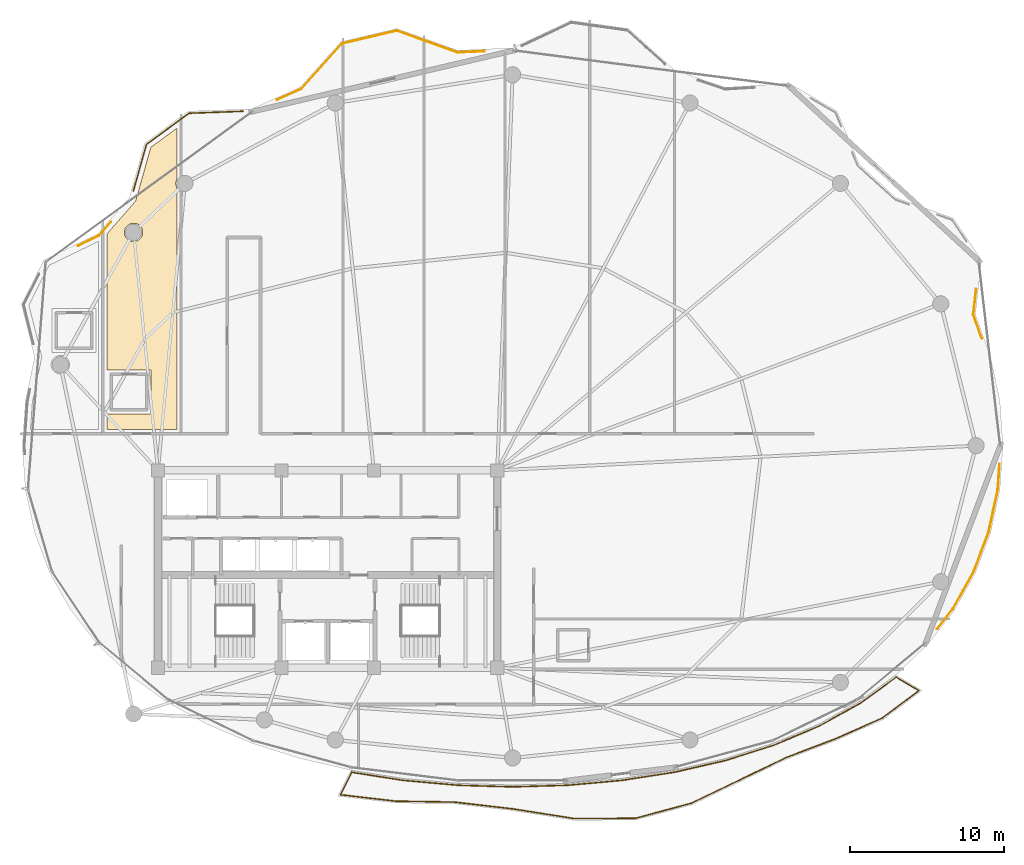
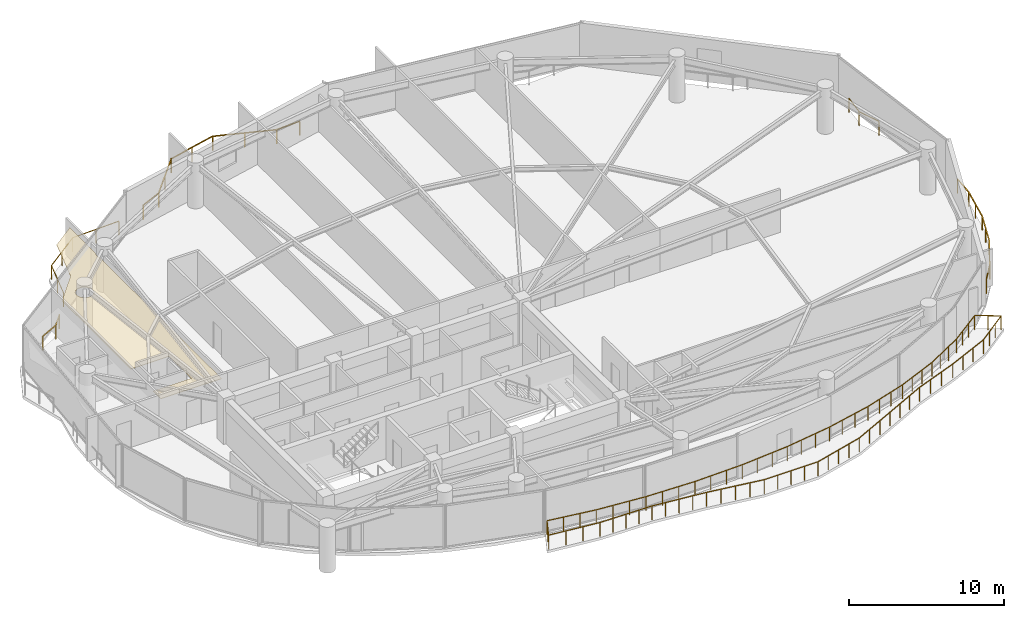
# One storey, part 30 of 31: 6 railings, 1 covering.
"""IFC4 building model written with IfcOpenShell, lengths in metres."""

from ifc_helpers import new_model, si_unit, direction, frame, origin, origin_2d, place, context, subcontext, project, spatial, polyline, rectangle, outline, extrude, material, layer, layer_set, type_object, element, save


model = new_model("IFC4")

# Units and contexts
model_context = context("Model", 3, precision=1e-05, world=origin(), true_north=direction((0.0, 1.0)))
body_context = subcontext(model_context, "Body", "Model", "MODEL_VIEW")
ifc_project = project(units=[si_unit("LENGTHUNIT", "METRE"), si_unit("AREAUNIT", "SQUARE_METRE"), si_unit("VOLUMEUNIT", "CUBIC_METRE"), si_unit("PLANEANGLEUNIT", "RADIAN"), si_unit("MASSUNIT", "GRAM", prefix="KILO")], contexts=[model_context])

# Site, building, storey
site_placement = place(None, origin())
site = spatial("IfcSite", under=ifc_project, at=site_placement, CompositionType="ELEMENT")
building_placement = place(site_placement, origin())
building = spatial("IfcBuilding", under=site, at=building_placement, Name="Kazevale Care Tower and Concert Hall", CompositionType="ELEMENT")
storey_placement = place(building_placement, frame((0.0, 0.0, 217.199951171875)))
storey = spatial("IfcBuildingStorey", under=building, at=storey_placement, Name="L57", CompositionType="ELEMENT", Elevation=217.199951171875)

# Covering
ifc_material_1 = material(Name="Acoustic Plaster and Hinoki Wood", Category="wood")
ifc_layer = layer(ifc_material_1, 0.0400390625)
ifc_layer_set = layer_set([ifc_layer], Name="Acoustic Plaster and Hinoki Wood")
covering_type = type_object("IfcCoveringType", Name="Acoustic Perforated Wood-Gypsum Ceiling", PredefinedType="CEILING", material=ifc_layer_set)
covering_placement = place(storey_placement, frame((0.0, 0.0, 2.7099609375)))
element("IfcCovering", 1, at=covering_placement, inside=storey, type_object=covering_type, Name="clg:L57:2", PredefinedType="CEILING", context=body_context, shape_type="SweptSolid", body=[
    extrude(outline(polyline([(21.550048828125, 42.905029296875), (18.699951171875, 42.905029296875), (18.699951171875, 51.742919921875), (20.552001953125, 53.861083984375), (21.534912109375, 57.344970703125), (23.219970703125, 58.5830078125), (23.219970703125, 55.2958984375), (23.14501953125, 55.010009765625), (23.219970703125, 54.72412109375), (23.219970703125, 39.054931640625), (18.699951171875, 39.054931640625), (18.699951171875, 40.044921875), (21.550048828125, 40.044921875), (21.550048828125, 42.905029296875)]), holes=[polyline([(21.012939453125, 51.947998046875), (20.923095703125, 52.166015625), (20.756103515625, 52.3330078125), (20.5380859375, 52.423095703125), (20.302001953125, 52.423095703125), (20.083984375, 52.3330078125), (19.9169921875, 52.166015625), (19.826904296875, 51.947998046875), (19.826904296875, 51.7119140625), (19.9169921875, 51.493896484375), (20.083984375, 51.326904296875), (20.302001953125, 51.237060546875), (20.5380859375, 51.237060546875), (20.756103515625, 51.326904296875), (20.923095703125, 51.493896484375), (21.012939453125, 51.7119140625), (21.012939453125, 51.947998046875)])]), origin(), (0.0, 0.0, 1.0), 0.0400390625),
])

# Railings
ifc_material_2 = material(Name="Anodised Bronze Aluminium and Laminated Glass", Category="aluminium")
railing_type = type_object("IfcRailingType", Name="Balcony and Terrace Balustrade 1120", PredefinedType="BALUSTRADE", material=ifc_material_2)
railing_1_placement = place(storey_placement, frame((16.83203125, 50.968994140625, 0.0)))
element("IfcRailing", 2, at=railing_1_placement, inside=storey, type_object=railing_type, Name="rail:L57:perim:3", PredefinedType="BALUSTRADE", context=body_context, shape_type="SweptSolid", body=[
    extrude(rectangle(XDim=0.048095703125, YDim=0.048095703125, at=origin_2d()), frame((0.0, 0.0, 1.09619140625), z_axis=(0.899880965399, 0.436135584553, 0.0), x_axis=(-0.436135584553, 0.899880965399, 0.0)), (0.0, 0.0, 1.0), 1.476806640625),
    extrude(rectangle(XDim=0.048095703125, YDim=0.048095703125, at=origin_2d()), frame((1.328857421875, 0.64404296875, 1.09619140625), z_axis=(0.658533673371, 0.752551261402, 0.0), x_axis=(-0.752551261402, 0.658533673371, 0.0)), (0.0, 0.0, 1.0), 1.189208984375),
    extrude(rectangle(XDim=0.0419921875, YDim=0.0419921875, at=origin_2d()), origin(), (0.0, 0.0, 1.0), 1.072021484375),
    extrude(rectangle(XDim=0.0419921875, YDim=0.0419921875, at=origin_2d()), frame((1.328857421875, 0.64404296875, 0.0)), (0.0, 0.0, 1.0), 1.072021484375),
    extrude(rectangle(XDim=0.0419921875, YDim=0.0419921875, at=origin_2d()), frame((2.112060546875, 1.5390625, 0.0)), (0.0, 0.0, 1.0), 1.072021484375),
])
railing_2_placement = place(storey_placement, frame((20.403076171875, 54.511962890625, 0.0)))
element("IfcRailing", 3, at=railing_2_placement, inside=storey, type_object=railing_type, Name="rail:L57:perim:4", PredefinedType="BALUSTRADE", context=body_context, shape_type="SweptSolid", body=[
    extrude(rectangle(XDim=0.048095703125, YDim=0.048095703125, at=origin_2d()), frame((0.0, 0.0, 1.09619140625), z_axis=(0.27160216444, 0.962409613559, 0.0), x_axis=(-0.962409613559, 0.27160216444, 0.0)), (0.0, 0.0, 1.0), 3.144287109375),
    extrude(rectangle(XDim=0.048095703125, YDim=0.048095703125, at=origin_2d()), frame((0.85400390625, 3.026123046875, 1.09619140625), z_axis=(0.805881115656, 0.592077382973, 0.0), x_axis=(-0.592077382973, 0.805881115656, 0.0)), (0.0, 0.0, 1.0), 3.40966796875),
    extrude(rectangle(XDim=0.048095703125, YDim=0.048095703125, at=origin_2d()), frame((3.601806640625, 5.044921875, 1.09619140625), z_axis=(0.999339175446, 0.036348485787, 0.0), x_axis=(-0.036348485787, 0.999339175446, 0.0)), (0.0, 0.0, 1.0), 3.499267578125),
    extrude(rectangle(XDim=0.0419921875, YDim=0.0419921875, at=origin_2d()), origin(), (0.0, 0.0, 1.0), 1.072021484375),
    extrude(rectangle(XDim=0.0419921875, YDim=0.0419921875, at=origin_2d()), frame((0.427001953125, 1.51318359375, 0.0)), (0.0, 0.0, 1.0), 1.072021484375),
    extrude(rectangle(XDim=0.0419921875, YDim=0.0419921875, at=origin_2d()), frame((0.85400390625, 3.026123046875, 0.0)), (0.0, 0.0, 1.0), 1.072021484375),
    extrude(rectangle(XDim=0.0419921875, YDim=0.0419921875, at=origin_2d()), frame((2.22802734375, 4.03564453125, 0.0)), (0.0, 0.0, 1.0), 1.072021484375),
    extrude(rectangle(XDim=0.0419921875, YDim=0.0419921875, at=origin_2d()), frame((3.601806640625, 5.044921875, 0.0)), (0.0, 0.0, 1.0), 1.072021484375),
    extrude(rectangle(XDim=0.0419921875, YDim=0.0419921875, at=origin_2d()), frame((5.350341796875, 5.1083984375, 0.0)), (0.0, 0.0, 1.0), 1.072021484375),
    extrude(rectangle(XDim=0.0419921875, YDim=0.0419921875, at=origin_2d()), frame((7.098876953125, 5.172119140625, 0.0)), (0.0, 0.0, 1.0), 1.072021484375),
])
railing_3_placement = place(storey_placement, frame((29.737060546875, 60.43505859375, 0.0)))
element("IfcRailing", 4, at=railing_3_placement, inside=storey, type_object=railing_type, Name="rail:L57:perim:5", PredefinedType="BALUSTRADE", context=body_context, shape_type="SweptSolid", body=[
    extrude(rectangle(XDim=0.048095703125, YDim=0.048095703125, at=origin_2d()), frame((0.0, 0.0, 1.09619140625), z_axis=(0.912729386392, 0.408564642641, 0.0), x_axis=(-0.408564642641, 0.912729386392, 0.0)), (0.0, 0.0, 1.0), 1.6982421875),
    extrude(rectangle(XDim=0.048095703125, YDim=0.048095703125, at=origin_2d()), frame((1.550048828125, 0.69384765625, 1.09619140625), z_axis=(0.668500240789, 0.743711925456, 0.0), x_axis=(-0.743711925456, 0.668500240789, 0.0)), (0.0, 0.0, 1.0), 3.950439453125),
    extrude(rectangle(XDim=0.048095703125, YDim=0.048095703125, at=origin_2d()), frame((4.19091796875, 3.6318359375, 1.09619140625), z_axis=(0.97312090779, 0.2302948085, 0.0), x_axis=(-0.2302948085, 0.97312090779, 0.0)), (0.0, 0.0, 1.0), 3.652099609375),
    extrude(rectangle(XDim=0.048095703125, YDim=0.048095703125, at=origin_2d()), frame((7.744873046875, 4.472900390625, 1.09619140625), z_axis=(0.941350252636, -0.337431032749, 0.0), x_axis=(0.337431032749, 0.941350252636, 0.0)), (0.0, 0.0, 1.0), 4.18115234375),
    extrude(rectangle(XDim=0.048095703125, YDim=0.048095703125, at=origin_2d()), frame((11.680908203125, 3.06201171875, 1.09619140625), z_axis=(0.998977358959, 0.045213231333, 0.0), x_axis=(-0.045213231333, 0.998977358959, 0.0)), (0.0, 0.0, 1.0), 1.765625),
    extrude(rectangle(XDim=0.0419921875, YDim=0.0419921875, at=origin_2d()), origin(), (0.0, 0.0, 1.0), 1.072021484375),
    extrude(rectangle(XDim=0.0419921875, YDim=0.0419921875, at=origin_2d()), frame((1.550048828125, 0.69384765625, 0.0)), (0.0, 0.0, 1.0), 1.072021484375),
    extrude(rectangle(XDim=0.0419921875, YDim=0.0419921875, at=origin_2d()), frame((2.87060546875, 2.162841796875, 0.0)), (0.0, 0.0, 1.0), 1.072021484375),
    extrude(rectangle(XDim=0.0419921875, YDim=0.0419921875, at=origin_2d()), frame((4.19091796875, 3.6318359375, 0.0)), (0.0, 0.0, 1.0), 1.072021484375),
    extrude(rectangle(XDim=0.0419921875, YDim=0.0419921875, at=origin_2d()), frame((5.9677734375, 4.05224609375, 0.0)), (0.0, 0.0, 1.0), 1.072021484375),
    extrude(rectangle(XDim=0.0419921875, YDim=0.0419921875, at=origin_2d()), frame((7.744873046875, 4.472900390625, 0.0)), (0.0, 0.0, 1.0), 1.072021484375),
    extrude(rectangle(XDim=0.0419921875, YDim=0.0419921875, at=origin_2d()), frame((9.712890625, 3.767578125, 0.0)), (0.0, 0.0, 1.0), 1.072021484375),
    extrude(rectangle(XDim=0.0419921875, YDim=0.0419921875, at=origin_2d()), frame((11.680908203125, 3.06201171875, 0.0)), (0.0, 0.0, 1.0), 1.072021484375),
    extrude(rectangle(XDim=0.0419921875, YDim=0.0419921875, at=origin_2d()), frame((13.44482421875, 3.141845703125, 0.0)), (0.0, 0.0, 1.0), 1.072021484375),
])
railing_4_placement = place(storey_placement, frame((76.576904296875, 36.81103515625, 0.0)))
element("IfcRailing", 5, at=railing_4_placement, inside=storey, type_object=railing_type, Name="rail:L57:perim:11", PredefinedType="BALUSTRADE", context=body_context, shape_type="SweptSolid", body=[
    extrude(rectangle(XDim=0.048095703125, YDim=0.048095703125, at=origin_2d()), frame((0.0, 0.0, 1.09619140625), z_axis=(-0.069683140934, -0.997569175481, 0.0), x_axis=(0.997569175481, -0.069683140934, 0.0)), (0.0, 0.0, 1.0), 1.664306640625),
    extrude(rectangle(XDim=0.048095703125, YDim=0.048095703125, at=origin_2d()), frame((-0.115966796875, -1.66015625, 1.09619140625), z_axis=(-0.210886672564, -0.97751051725, 0.0), x_axis=(0.97751051725, -0.210886672564, 0.0)), (0.0, 0.0, 1.0), 2.81201171875),
    extrude(rectangle(XDim=0.048095703125, YDim=0.048095703125, at=origin_2d()), frame((-0.708984375, -4.408935546875, 1.09619140625), z_axis=(-0.352914941795, -0.935655408715, 0.0), x_axis=(0.935655408715, -0.352914941795, 0.0)), (0.0, 0.0, 1.0), 2.77685546875),
    extrude(rectangle(XDim=0.048095703125, YDim=0.048095703125, at=origin_2d()), frame((-1.68896484375, -7.007080078125, 1.09619140625), z_axis=(-0.490131162051, -0.871648692987, 0.0), x_axis=(0.871648692987, -0.490131162051, 0.0)), (0.0, 0.0, 1.0), 2.762451171875),
    extrude(rectangle(XDim=0.048095703125, YDim=0.048095703125, at=origin_2d()), frame((-3.04296875, -9.4150390625, 1.09619140625), z_axis=(-0.615507243123, -0.788131228707, 0.0), x_axis=(0.788131228707, -0.615507243123, 0.0)), (0.0, 0.0, 1.0), 1.6279296875),
    extrude(rectangle(XDim=0.0419921875, YDim=0.0419921875, at=origin_2d()), origin(), (0.0, 0.0, 1.0), 1.072021484375),
    extrude(rectangle(XDim=0.0419921875, YDim=0.0419921875, at=origin_2d()), frame((-0.115966796875, -1.66015625, 0.0)), (0.0, 0.0, 1.0), 1.072021484375),
    extrude(rectangle(XDim=0.0419921875, YDim=0.0419921875, at=origin_2d()), frame((-0.41259765625, -3.03466796875, 0.0)), (0.0, 0.0, 1.0), 1.072021484375),
    extrude(rectangle(XDim=0.0419921875, YDim=0.0419921875, at=origin_2d()), frame((-0.708984375, -4.408935546875, 0.0)), (0.0, 0.0, 1.0), 1.072021484375),
    extrude(rectangle(XDim=0.0419921875, YDim=0.0419921875, at=origin_2d()), frame((-1.198974609375, -5.7080078125, 0.0)), (0.0, 0.0, 1.0), 1.072021484375),
    extrude(rectangle(XDim=0.0419921875, YDim=0.0419921875, at=origin_2d()), frame((-1.68896484375, -7.007080078125, 0.0)), (0.0, 0.0, 1.0), 1.072021484375),
    extrude(rectangle(XDim=0.0419921875, YDim=0.0419921875, at=origin_2d()), frame((-2.365966796875, -8.2109375, 0.0)), (0.0, 0.0, 1.0), 1.072021484375),
    extrude(rectangle(XDim=0.0419921875, YDim=0.0419921875, at=origin_2d()), frame((-3.04296875, -9.4150390625, 0.0)), (0.0, 0.0, 1.0), 1.072021484375),
    extrude(rectangle(XDim=0.0419921875, YDim=0.0419921875, at=origin_2d()), frame((-4.044921875, -10.697998046875, 0.0)), (0.0, 0.0, 1.0), 1.072021484375),
])
railing_5_placement = place(storey_placement, frame((75.054931640625, 48.138916015625, 0.0)))
element("IfcRailing", 6, at=railing_5_placement, inside=storey, type_object=railing_type, Name="rail:L57:perim:12", PredefinedType="BALUSTRADE", context=body_context, shape_type="SweptSolid", body=[
    extrude(rectangle(XDim=0.048095703125, YDim=0.048095703125, at=origin_2d()), frame((0.0, 0.0, 1.09619140625), z_axis=(-0.110627099756, -0.993861984784, 0.0), x_axis=(0.993861984784, -0.110627099756, 0.0)), (0.0, 0.0, 1.0), 1.64404296875),
    extrude(rectangle(XDim=0.048095703125, YDim=0.048095703125, at=origin_2d()), frame((-0.181884765625, -1.634033203125, 1.09619140625), z_axis=(0.334582750454, -0.942366374134, 0.0), x_axis=(0.942366374134, 0.334582750454, 0.0)), (0.0, 0.0, 1.0), 1.65869140625),
    extrude(rectangle(XDim=0.0419921875, YDim=0.0419921875, at=origin_2d()), origin(), (0.0, 0.0, 1.0), 1.072021484375),
    extrude(rectangle(XDim=0.0419921875, YDim=0.0419921875, at=origin_2d()), frame((-0.181884765625, -1.634033203125, 0.0)), (0.0, 0.0, 1.0), 1.072021484375),
    extrude(rectangle(XDim=0.0419921875, YDim=0.0419921875, at=origin_2d()), frame((0.373046875, -3.197021484375, 0.0)), (0.0, 0.0, 1.0), 1.072021484375),
])
railing_6_placement = place(storey_placement, frame((34.56298828125, 16.819091796875, 0.0)))
element("IfcRailing", 7, at=railing_6_placement, inside=storey, type_object=railing_type, Name="rail:L57:balcony", PredefinedType="BALUSTRADE", context=body_context, shape_type="SweptSolid", body=[
    extrude(rectangle(XDim=0.048095703125, YDim=0.048095703125, at=origin_2d()), frame((0.0, 0.0, 1.09619140625), z_axis=(0.988093340761, -0.15385561395, 0.0), x_axis=(0.15385561395, 0.988093340761, 0.0)), (0.0, 0.0, 1.0), 3.38623046875),
    extrude(rectangle(XDim=0.048095703125, YDim=0.048095703125, at=origin_2d()), frame((3.345947265625, -0.52099609375, 1.09619140625), z_axis=(0.995947899496, -0.089932093766, 0.0), x_axis=(0.089932093766, 0.995947899496, 0.0)), (0.0, 0.0, 1.0), 3.537353515625),
    extrude(rectangle(XDim=0.048095703125, YDim=0.048095703125, at=origin_2d()), frame((6.868896484375, -0.839111328125, 1.09619140625), z_axis=(0.999567458851, -0.029409100739, 0.0), x_axis=(0.029409100739, 0.999567458851, 0.0)), (0.0, 0.0, 1.0), 3.569580078125),
    extrude(rectangle(XDim=0.048095703125, YDim=0.048095703125, at=origin_2d()), frame((10.43701171875, -0.944091796875, 1.09619140625), z_axis=(0.999567458851, 0.029409100739, 0.0), x_axis=(-0.029409100739, 0.999567458851, 0.0)), (0.0, 0.0, 1.0), 3.569580078125),
    extrude(rectangle(XDim=0.048095703125, YDim=0.048095703125, at=origin_2d()), frame((14.005126953125, -0.839111328125, 1.09619140625), z_axis=(0.995947899496, 0.089932093766, 0.0), x_axis=(-0.089932093766, 0.995947899496, 0.0)), (0.0, 0.0, 1.0), 3.537353515625),
    extrude(rectangle(XDim=0.048095703125, YDim=0.048095703125, at=origin_2d()), frame((17.528076171875, -0.52099609375, 1.09619140625), z_axis=(0.988098216207, 0.153824299539, 0.0), x_axis=(-0.153824299539, 0.988098216207, 0.0)), (0.0, 0.0, 1.0), 3.4775390625),
    extrude(rectangle(XDim=0.048095703125, YDim=0.048095703125, at=origin_2d()), frame((20.964111328125, 0.013916015625, 1.09619140625), z_axis=(0.974534254558, 0.224238682418, 0.0), x_axis=(-0.224238682418, 0.974534254558, 0.0)), (0.0, 0.0, 1.0), 3.389404296875),
    extrude(rectangle(XDim=0.048095703125, YDim=0.048095703125, at=origin_2d()), frame((24.26708984375, 0.77392578125, 1.09619140625), z_axis=(0.953239514235, 0.302215864078, 0.0), x_axis=(-0.302215864078, 0.953239514235, 0.0)), (0.0, 0.0, 1.0), 3.285400390625),
    extrude(rectangle(XDim=0.048095703125, YDim=0.048095703125, at=origin_2d()), frame((27.39892578125, 1.766845703125, 1.09619140625), z_axis=(0.921006567992, 0.389547046858, 0.0), x_axis=(-0.389547046858, 0.921006567992, 0.0)), (0.0, 0.0, 1.0), 3.170654296875),
    extrude(rectangle(XDim=0.048095703125, YDim=0.048095703125, at=origin_2d()), frame((30.319091796875, 3.001953125, 1.09619140625), z_axis=(0.874149737903, 0.485656499724, 0.0), x_axis=(-0.485656499724, 0.874149737903, 0.0)), (0.0, 0.0, 1.0), 3.055419921875),
    extrude(rectangle(XDim=0.048095703125, YDim=0.048095703125, at=origin_2d()), frame((32.989990234375, 4.48583984375, 1.09619140625), z_axis=(0.809111467971, 0.587655198562, 0.0), x_axis=(-0.587655198562, 0.809111467971, 0.0)), (0.0, 0.0, 1.0), 2.867431640625),
    extrude(rectangle(XDim=0.048095703125, YDim=0.048095703125, at=origin_2d()), frame((35.31005859375, 6.1708984375, 1.09619140625), z_axis=(0.858501274941, -0.512811428231, 0.0), x_axis=(0.512811428231, 0.858501274941, 0.0)), (0.0, 0.0, 1.0), 1.706298828125),
    extrude(rectangle(XDim=0.048095703125, YDim=0.048095703125, at=origin_2d()), frame((36.77490234375, 5.2958984375, 1.09619140625), z_axis=(-0.798998472515, -0.60133305324, 0.0), x_axis=(0.60133305324, -0.798998472515, 0.0)), (0.0, 0.0, 1.0), 2.928466796875),
    extrude(rectangle(XDim=0.048095703125, YDim=0.048095703125, at=origin_2d()), frame((34.43505859375, 3.534912109375, 1.09619140625), z_axis=(-0.913634171515, -0.406537329947, 0.0), x_axis=(0.406537329947, -0.913634171515, 0.0)), (0.0, 0.0, 1.0), 3.350341796875),
    extrude(rectangle(XDim=0.048095703125, YDim=0.048095703125, at=origin_2d()), frame((31.3740234375, 2.1728515625, 1.09619140625), z_axis=(-0.935008233728, -0.35462600421, 0.0), x_axis=(0.35462600421, -0.935008233728, 0.0)), (0.0, 0.0, 1.0), 3.38916015625),
    extrude(rectangle(XDim=0.048095703125, YDim=0.048095703125, at=origin_2d()), frame((28.205078125, 0.970947265625, 1.09619140625), z_axis=(-0.900843112314, -0.434144776539, 0.0), x_axis=(0.434144776539, -0.900843112314, 0.0)), (0.0, 0.0, 1.0), 3.3447265625),
    extrude(rectangle(XDim=0.048095703125, YDim=0.048095703125, at=origin_2d()), frame((25.19189453125, -0.481201171875, 1.09619140625), z_axis=(-0.901317076738, -0.433159932565, 0.0), x_axis=(0.433159932565, -0.901317076738, 0.0)), (0.0, 0.0, 1.0), 3.515869140625),
    extrude(rectangle(XDim=0.048095703125, YDim=0.048095703125, at=origin_2d()), frame((22.02294921875, -2.004150390625, 1.09619140625), z_axis=(-0.965580087265, -0.260105930493, 0.0), x_axis=(0.260105930493, -0.965580087265, 0.0)), (0.0, 0.0, 1.0), 3.767578125),
    extrude(rectangle(XDim=0.048095703125, YDim=0.048095703125, at=origin_2d()), frame((18.385009765625, -2.984130859375, 1.09619140625), z_axis=(-0.999997959398, -0.002020197898, 0.0), x_axis=(0.002020197898, -0.999997959398, 0.0)), (0.0, 0.0, 1.0), 3.988037109375),
    extrude(rectangle(XDim=0.048095703125, YDim=0.048095703125, at=origin_2d()), frame((14.39697265625, -2.9921875, 1.09619140625), z_axis=(-0.987787742655, 0.155805569412, 0.0), x_axis=(-0.155805569412, -0.987787742655, 0.0)), (0.0, 0.0, 1.0), 3.99267578125),
    extrude(rectangle(XDim=0.048095703125, YDim=0.048095703125, at=origin_2d()), frame((10.453125, -2.3701171875, 1.09619140625), z_axis=(-0.993345948438, 0.115168688115, 0.0), x_axis=(-0.115168688115, -0.993345948438, 0.0)), (0.0, 0.0, 1.0), 3.8115234375),
    extrude(rectangle(XDim=0.048095703125, YDim=0.048095703125, at=origin_2d()), frame((6.6669921875, -1.93115234375, 1.09619140625), z_axis=(-0.999876497549, 0.015715904313, 0.0), x_axis=(-0.015715904313, -0.999876497549, 0.0)), (0.0, 0.0, 1.0), 3.821533203125),
    extrude(rectangle(XDim=0.048095703125, YDim=0.048095703125, at=origin_2d()), frame((2.845947265625, -1.87109375, 1.09619140625), z_axis=(-0.993152458718, 0.116825484133, 0.0), x_axis=(-0.116825484133, -0.993152458718, 0.0)), (0.0, 0.0, 1.0), 3.594482421875),
    extrude(rectangle(XDim=0.048095703125, YDim=0.048095703125, at=origin_2d()), frame((-0.723876953125, -1.451171875, 1.09619140625), z_axis=(0.446370336507, 0.894848323844, 0.0), x_axis=(-0.894848323844, 0.446370336507, 0.0)), (0.0, 0.0, 1.0), 1.62158203125),
    extrude(rectangle(XDim=0.0419921875, YDim=0.0419921875, at=origin_2d()), origin(), (0.0, 0.0, 1.0), 1.072021484375),
    extrude(rectangle(XDim=0.0419921875, YDim=0.0419921875, at=origin_2d()), frame((1.115234375, -0.173583984375, 0.0)), (0.0, 0.0, 1.0), 1.072021484375),
    extrude(rectangle(XDim=0.0419921875, YDim=0.0419921875, at=origin_2d()), frame((2.230712890625, -0.347412109375, 0.0)), (0.0, 0.0, 1.0), 1.072021484375),
    extrude(rectangle(XDim=0.0419921875, YDim=0.0419921875, at=origin_2d()), frame((3.345947265625, -0.52099609375, 0.0)), (0.0, 0.0, 1.0), 1.072021484375),
    extrude(rectangle(XDim=0.0419921875, YDim=0.0419921875, at=origin_2d()), frame((4.520263671875, -0.626953125, 0.0)), (0.0, 0.0, 1.0), 1.072021484375),
    extrude(rectangle(XDim=0.0419921875, YDim=0.0419921875, at=origin_2d()), frame((5.694580078125, -0.733154296875, 0.0)), (0.0, 0.0, 1.0), 1.072021484375),
    extrude(rectangle(XDim=0.0419921875, YDim=0.0419921875, at=origin_2d()), frame((6.868896484375, -0.839111328125, 0.0)), (0.0, 0.0, 1.0), 1.072021484375),
    extrude(rectangle(XDim=0.0419921875, YDim=0.0419921875, at=origin_2d()), frame((8.058349609375, -0.8740234375, 0.0)), (0.0, 0.0, 1.0), 1.072021484375),
    extrude(rectangle(XDim=0.0419921875, YDim=0.0419921875, at=origin_2d()), frame((9.24755859375, -0.9091796875, 0.0)), (0.0, 0.0, 1.0), 1.072021484375),
    extrude(rectangle(XDim=0.0419921875, YDim=0.0419921875, at=origin_2d()), frame((10.43701171875, -0.944091796875, 0.0)), (0.0, 0.0, 1.0), 1.072021484375),
    extrude(rectangle(XDim=0.0419921875, YDim=0.0419921875, at=origin_2d()), frame((11.62646484375, -0.9091796875, 0.0)), (0.0, 0.0, 1.0), 1.072021484375),
    extrude(rectangle(XDim=0.0419921875, YDim=0.0419921875, at=origin_2d()), frame((12.815673828125, -0.8740234375, 0.0)), (0.0, 0.0, 1.0), 1.072021484375),
    extrude(rectangle(XDim=0.0419921875, YDim=0.0419921875, at=origin_2d()), frame((14.005126953125, -0.839111328125, 0.0)), (0.0, 0.0, 1.0), 1.072021484375),
    extrude(rectangle(XDim=0.0419921875, YDim=0.0419921875, at=origin_2d()), frame((15.179443359375, -0.733154296875, 0.0)), (0.0, 0.0, 1.0), 1.072021484375),
    extrude(rectangle(XDim=0.0419921875, YDim=0.0419921875, at=origin_2d()), frame((16.353759765625, -0.626953125, 0.0)), (0.0, 0.0, 1.0), 1.072021484375),
    extrude(rectangle(XDim=0.0419921875, YDim=0.0419921875, at=origin_2d()), frame((17.528076171875, -0.52099609375, 0.0)), (0.0, 0.0, 1.0), 1.072021484375),
    extrude(rectangle(XDim=0.0419921875, YDim=0.0419921875, at=origin_2d()), frame((18.67333984375, -0.3427734375, 0.0)), (0.0, 0.0, 1.0), 1.072021484375),
    extrude(rectangle(XDim=0.0419921875, YDim=0.0419921875, at=origin_2d()), frame((19.81884765625, -0.164306640625, 0.0)), (0.0, 0.0, 1.0), 1.072021484375),
    extrude(rectangle(XDim=0.0419921875, YDim=0.0419921875, at=origin_2d()), frame((20.964111328125, 0.013916015625, 0.0)), (0.0, 0.0, 1.0), 1.072021484375),
    extrude(rectangle(XDim=0.0419921875, YDim=0.0419921875, at=origin_2d()), frame((22.065185546875, 0.267333984375, 0.0)), (0.0, 0.0, 1.0), 1.072021484375),
    extrude(rectangle(XDim=0.0419921875, YDim=0.0419921875, at=origin_2d()), frame((23.166015625, 0.5205078125, 0.0)), (0.0, 0.0, 1.0), 1.072021484375),
    extrude(rectangle(XDim=0.0419921875, YDim=0.0419921875, at=origin_2d()), frame((24.26708984375, 0.77392578125, 0.0)), (0.0, 0.0, 1.0), 1.072021484375),
    extrude(rectangle(XDim=0.0419921875, YDim=0.0419921875, at=origin_2d()), frame((25.31103515625, 1.10498046875, 0.0)), (0.0, 0.0, 1.0), 1.072021484375),
    extrude(rectangle(XDim=0.0419921875, YDim=0.0419921875, at=origin_2d()), frame((26.35498046875, 1.435791015625, 0.0)), (0.0, 0.0, 1.0), 1.072021484375),
    extrude(rectangle(XDim=0.0419921875, YDim=0.0419921875, at=origin_2d()), frame((27.39892578125, 1.766845703125, 0.0)), (0.0, 0.0, 1.0), 1.072021484375),
    extrude(rectangle(XDim=0.0419921875, YDim=0.0419921875, at=origin_2d()), frame((28.372314453125, 2.178466796875, 0.0)), (0.0, 0.0, 1.0), 1.072021484375),
    extrude(rectangle(XDim=0.0419921875, YDim=0.0419921875, at=origin_2d()), frame((29.345703125, 2.59033203125, 0.0)), (0.0, 0.0, 1.0), 1.072021484375),
    extrude(rectangle(XDim=0.0419921875, YDim=0.0419921875, at=origin_2d()), frame((30.319091796875, 3.001953125, 0.0)), (0.0, 0.0, 1.0), 1.072021484375),
    extrude(rectangle(XDim=0.0419921875, YDim=0.0419921875, at=origin_2d()), frame((31.20947265625, 3.49658203125, 0.0)), (0.0, 0.0, 1.0), 1.072021484375),
    extrude(rectangle(XDim=0.0419921875, YDim=0.0419921875, at=origin_2d()), frame((32.099609375, 3.9912109375, 0.0)), (0.0, 0.0, 1.0), 1.072021484375),
    extrude(rectangle(XDim=0.0419921875, YDim=0.0419921875, at=origin_2d()), frame((32.989990234375, 4.48583984375, 0.0)), (0.0, 0.0, 1.0), 1.072021484375),
    extrude(rectangle(XDim=0.0419921875, YDim=0.0419921875, at=origin_2d()), frame((33.763427734375, 5.047607421875, 0.0)), (0.0, 0.0, 1.0), 1.072021484375),
    extrude(rectangle(XDim=0.0419921875, YDim=0.0419921875, at=origin_2d()), frame((34.53662109375, 5.609130859375, 0.0)), (0.0, 0.0, 1.0), 1.072021484375),
    extrude(rectangle(XDim=0.0419921875, YDim=0.0419921875, at=origin_2d()), frame((35.31005859375, 6.1708984375, 0.0)), (0.0, 0.0, 1.0), 1.072021484375),
    extrude(rectangle(XDim=0.0419921875, YDim=0.0419921875, at=origin_2d()), frame((36.04248046875, 5.7333984375, 0.0)), (0.0, 0.0, 1.0), 1.072021484375),
    extrude(rectangle(XDim=0.0419921875, YDim=0.0419921875, at=origin_2d()), frame((36.77490234375, 5.2958984375, 0.0)), (0.0, 0.0, 1.0), 1.072021484375),
    extrude(rectangle(XDim=0.0419921875, YDim=0.0419921875, at=origin_2d()), frame((35.994873046875, 4.708984375, 0.0)), (0.0, 0.0, 1.0), 1.072021484375),
    extrude(rectangle(XDim=0.0419921875, YDim=0.0419921875, at=origin_2d()), frame((35.215087890625, 4.121826171875, 0.0)), (0.0, 0.0, 1.0), 1.072021484375),
    extrude(rectangle(XDim=0.0419921875, YDim=0.0419921875, at=origin_2d()), frame((34.43505859375, 3.534912109375, 0.0)), (0.0, 0.0, 1.0), 1.072021484375),
    extrude(rectangle(XDim=0.0419921875, YDim=0.0419921875, at=origin_2d()), frame((33.414794921875, 3.080810546875, 0.0)), (0.0, 0.0, 1.0), 1.072021484375),
    extrude(rectangle(XDim=0.0419921875, YDim=0.0419921875, at=origin_2d()), frame((32.394287109375, 2.626953125, 0.0)), (0.0, 0.0, 1.0), 1.072021484375),
    extrude(rectangle(XDim=0.0419921875, YDim=0.0419921875, at=origin_2d()), frame((31.3740234375, 2.1728515625, 0.0)), (0.0, 0.0, 1.0), 1.072021484375),
    extrude(rectangle(XDim=0.0419921875, YDim=0.0419921875, at=origin_2d()), frame((30.317626953125, 1.772216796875, 0.0)), (0.0, 0.0, 1.0), 1.072021484375),
    extrude(rectangle(XDim=0.0419921875, YDim=0.0419921875, at=origin_2d()), frame((29.261474609375, 1.37158203125, 0.0)), (0.0, 0.0, 1.0), 1.072021484375),
    extrude(rectangle(XDim=0.0419921875, YDim=0.0419921875, at=origin_2d()), frame((28.205078125, 0.970947265625, 0.0)), (0.0, 0.0, 1.0), 1.072021484375),
    extrude(rectangle(XDim=0.0419921875, YDim=0.0419921875, at=origin_2d()), frame((27.20068359375, 0.48681640625, 0.0)), (0.0, 0.0, 1.0), 1.072021484375),
    extrude(rectangle(XDim=0.0419921875, YDim=0.0419921875, at=origin_2d()), frame((26.1962890625, 0.0029296875, 0.0)), (0.0, 0.0, 1.0), 1.072021484375),
    extrude(rectangle(XDim=0.0419921875, YDim=0.0419921875, at=origin_2d()), frame((25.19189453125, -0.481201171875, 0.0)), (0.0, 0.0, 1.0), 1.072021484375),
    extrude(rectangle(XDim=0.0419921875, YDim=0.0419921875, at=origin_2d()), frame((24.135498046875, -0.98876953125, 0.0)), (0.0, 0.0, 1.0), 1.072021484375),
    extrude(rectangle(XDim=0.0419921875, YDim=0.0419921875, at=origin_2d()), frame((23.079345703125, -1.49658203125, 0.0)), (0.0, 0.0, 1.0), 1.072021484375),
    extrude(rectangle(XDim=0.0419921875, YDim=0.0419921875, at=origin_2d()), frame((22.02294921875, -2.004150390625, 0.0)), (0.0, 0.0, 1.0), 1.072021484375),
    extrude(rectangle(XDim=0.0419921875, YDim=0.0419921875, at=origin_2d()), frame((21.113525390625, -2.2490234375, 0.0)), (0.0, 0.0, 1.0), 1.072021484375),
    extrude(rectangle(XDim=0.0419921875, YDim=0.0419921875, at=origin_2d()), frame((20.2041015625, -2.494140625, 0.0)), (0.0, 0.0, 1.0), 1.072021484375),
    extrude(rectangle(XDim=0.0419921875, YDim=0.0419921875, at=origin_2d()), frame((19.29443359375, -2.7392578125, 0.0)), (0.0, 0.0, 1.0), 1.072021484375),
    extrude(rectangle(XDim=0.0419921875, YDim=0.0419921875, at=origin_2d()), frame((18.385009765625, -2.984130859375, 0.0)), (0.0, 0.0, 1.0), 1.072021484375),
    extrude(rectangle(XDim=0.0419921875, YDim=0.0419921875, at=origin_2d()), frame((17.387939453125, -2.986083984375, 0.0)), (0.0, 0.0, 1.0), 1.072021484375),
    extrude(rectangle(XDim=0.0419921875, YDim=0.0419921875, at=origin_2d()), frame((16.39111328125, -2.98828125, 0.0)), (0.0, 0.0, 1.0), 1.072021484375),
    extrude(rectangle(XDim=0.0419921875, YDim=0.0419921875, at=origin_2d()), frame((15.39404296875, -2.990234375, 0.0)), (0.0, 0.0, 1.0), 1.072021484375),
    extrude(rectangle(XDim=0.0419921875, YDim=0.0419921875, at=origin_2d()), frame((14.39697265625, -2.9921875, 0.0)), (0.0, 0.0, 1.0), 1.072021484375),
    extrude(rectangle(XDim=0.0419921875, YDim=0.0419921875, at=origin_2d()), frame((13.4111328125, -2.836669921875, 0.0)), (0.0, 0.0, 1.0), 1.072021484375),
    extrude(rectangle(XDim=0.0419921875, YDim=0.0419921875, at=origin_2d()), frame((12.425048828125, -2.68115234375, 0.0)), (0.0, 0.0, 1.0), 1.072021484375),
    extrude(rectangle(XDim=0.0419921875, YDim=0.0419921875, at=origin_2d()), frame((11.43896484375, -2.525634765625, 0.0)), (0.0, 0.0, 1.0), 1.072021484375),
    extrude(rectangle(XDim=0.0419921875, YDim=0.0419921875, at=origin_2d()), frame((10.453125, -2.3701171875, 0.0)), (0.0, 0.0, 1.0), 1.072021484375),
    extrude(rectangle(XDim=0.0419921875, YDim=0.0419921875, at=origin_2d()), frame((9.506591796875, -2.26025390625, 0.0)), (0.0, 0.0, 1.0), 1.072021484375),
    extrude(rectangle(XDim=0.0419921875, YDim=0.0419921875, at=origin_2d()), frame((8.56005859375, -2.150634765625, 0.0)), (0.0, 0.0, 1.0), 1.072021484375),
    extrude(rectangle(XDim=0.0419921875, YDim=0.0419921875, at=origin_2d()), frame((7.613525390625, -2.041015625, 0.0)), (0.0, 0.0, 1.0), 1.072021484375),
    extrude(rectangle(XDim=0.0419921875, YDim=0.0419921875, at=origin_2d()), frame((6.6669921875, -1.93115234375, 0.0)), (0.0, 0.0, 1.0), 1.072021484375),
    extrude(rectangle(XDim=0.0419921875, YDim=0.0419921875, at=origin_2d()), frame((5.711669921875, -1.916015625, 0.0)), (0.0, 0.0, 1.0), 1.072021484375),
    extrude(rectangle(XDim=0.0419921875, YDim=0.0419921875, at=origin_2d()), frame((4.75634765625, -1.901123046875, 0.0)), (0.0, 0.0, 1.0), 1.072021484375),
    extrude(rectangle(XDim=0.0419921875, YDim=0.0419921875, at=origin_2d()), frame((3.80126953125, -1.88623046875, 0.0)), (0.0, 0.0, 1.0), 1.072021484375),
    extrude(rectangle(XDim=0.0419921875, YDim=0.0419921875, at=origin_2d()), frame((2.845947265625, -1.87109375, 0.0)), (0.0, 0.0, 1.0), 1.072021484375),
    extrude(rectangle(XDim=0.0419921875, YDim=0.0419921875, at=origin_2d()), frame((1.656005859375, -1.731201171875, 0.0)), (0.0, 0.0, 1.0), 1.072021484375),
    extrude(rectangle(XDim=0.0419921875, YDim=0.0419921875, at=origin_2d()), frame((0.466064453125, -1.591064453125, 0.0)), (0.0, 0.0, 1.0), 1.072021484375),
    extrude(rectangle(XDim=0.0419921875, YDim=0.0419921875, at=origin_2d()), frame((-0.723876953125, -1.451171875, 0.0)), (0.0, 0.0, 1.0), 1.072021484375),
    extrude(rectangle(XDim=0.0419921875, YDim=0.0419921875, at=origin_2d()), frame((-0.36181640625, -0.7255859375, 0.0)), (0.0, 0.0, 1.0), 1.072021484375),
])

save(model, "model.ifc")
